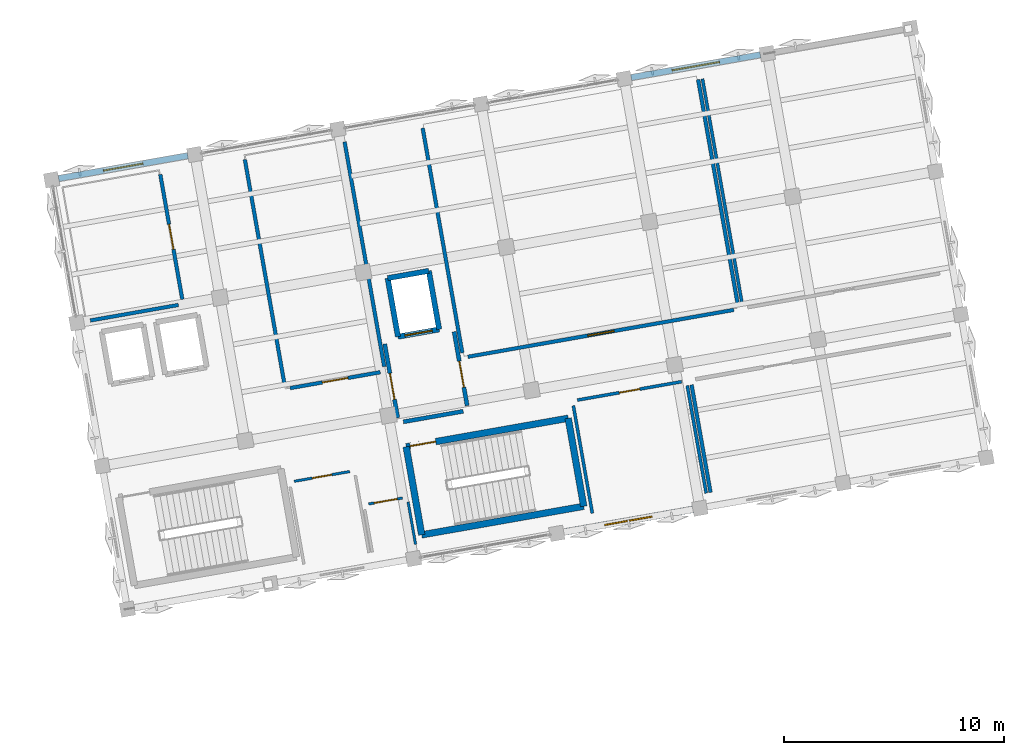
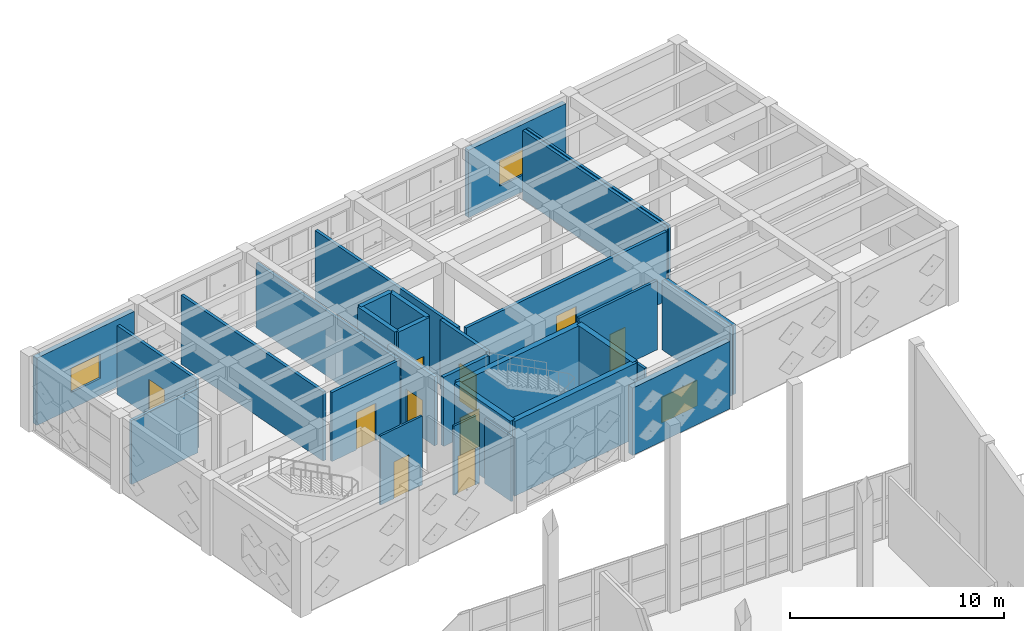
# One storey, part 29 of 39: 30 walls, 10 doors, 3 windows, 13 openings.
"""IFC4 building model written with IfcOpenShell, lengths in metres."""

from ifc_helpers import new_model, si_unit, direction, frame, frame_2d, origin, place, context, subcontext, project, spatial, rectangle, extrude, material, layer, layer_set, type_object, element, fill, save


model = new_model("IFC4")

# Units and contexts
model_context = context("Model", 3, precision=1e-05, world=origin(), true_north=direction((0.0, 1.0)))
body_context = subcontext(model_context, "Body", "Model", "MODEL_VIEW")
ifc_project = project(units=[si_unit("LENGTHUNIT", "METRE"), si_unit("AREAUNIT", "SQUARE_METRE"), si_unit("VOLUMEUNIT", "CUBIC_METRE"), si_unit("PLANEANGLEUNIT", "RADIAN"), si_unit("MASSUNIT", "GRAM", prefix="KILO")], contexts=[model_context])

# Site, building, storey
site_placement = place(None, origin())
site = spatial("IfcSite", under=ifc_project, at=site_placement, CompositionType="ELEMENT")
building_placement = place(site_placement, origin())
building = spatial("IfcBuilding", under=site, at=building_placement, Name="Kharisveld Research Institute", CompositionType="ELEMENT")
storey_placement = place(building_placement, frame((0.0, 0.0, 18.60009765625)))
storey = spatial("IfcBuildingStorey", under=building, at=storey_placement, Name="L04", CompositionType="ELEMENT", Elevation=18.60009765625)

# Walls
ifc_material_1 = material(Name="Concrete C40/50", Category="concrete")
ifc_layer_1 = layer(ifc_material_1, 0.239990234375)
ifc_layer_set_1 = layer_set([ifc_layer_1], Name="WL_CORE_240")
wall_type_1 = type_object("IfcWallType", Name="WL_CORE_240", PredefinedType="SHEAR", material=ifc_layer_set_1)
wall_1_placement = place(storey_placement, frame((17.48828125, 47.3818359375, 0.0), z_axis=(0.0, 0.0, 1.0), x_axis=(-0.173615102578, 0.98481358447, 0.0)))
element("IfcWall", 1, at=wall_1_placement, inside=storey, type_object=wall_type_1, Name="WL:LFT:FFL-01:L04:W", PredefinedType="SHEAR", context=body_context, shape_type="SweptSolid", body=[
    extrude(rectangle(XDim=2.699951171875, YDim=0.239990234375, at=frame_2d((1.35009765625, 0.0))), origin(), (0.0, 0.0, 1.0), 4.27978515625),
])
wall_2_placement = place(storey_placement, frame((17.01953125, 50.040771484375, 0.0), z_axis=(0.0, 0.0, 1.0), x_axis=(0.984815882103, 0.173602068988, 0.0)))
element("IfcWall", 2, at=wall_2_placement, inside=storey, type_object=wall_type_1, Name="WL:LFT:FFL-01:L04:N", PredefinedType="SHEAR", context=body_context, shape_type="SweptSolid", body=[
    extrude(rectangle(XDim=1.89990234375, YDim=0.239990234375, at=frame_2d((0.949951171875, 0.0))), origin(), (0.0, 0.0, 1.0), 4.27978515625),
])
wall_3_placement = place(storey_placement, frame((18.890625, 50.37060546875, 0.0), z_axis=(0.0, 0.0, 1.0), x_axis=(0.173615102578, -0.98481358447, 0.0)))
element("IfcWall", 3, at=wall_3_placement, inside=storey, type_object=wall_type_1, Name="WL:LFT:FFL-01:L04:E", PredefinedType="SHEAR", context=body_context, shape_type="SweptSolid", body=[
    extrude(rectangle(XDim=2.699951171875, YDim=0.239990234375, at=frame_2d((1.35009765625, 0.0))), origin(), (0.0, 0.0, 1.0), 4.27978515625),
])

# Wall, opening, door
wall_4_placement = place(storey_placement, frame((19.359375, 47.711669921875, 0.0), z_axis=(0.0, 0.0, 1.0), x_axis=(-0.984815882103, -0.173602068988, 0.0)))
wall_4 = element("IfcWall", 4, at=wall_4_placement, inside=storey, type_object=wall_type_1, Name="WL:LFT:FFL-01:L04:S", PredefinedType="SHEAR", context=body_context, shape_type="SweptSolid", body=[
    extrude(rectangle(XDim=1.89990234375, YDim=0.239990234375, at=frame_2d((0.949951171875, 0.0))), origin(), (0.0, 0.0, 1.0), 4.27978515625),
])
opening_1_placement = place(wall_4_placement, frame((0.324951171875, 0.0, 0.0)))
opening_1 = element("IfcOpeningElement", 5, at=opening_1_placement, cuts=wall_4, Name="Opening LD-02", PredefinedType="OPENING", context=body_context, shape_type="SweptSolid", body=[
    extrude(rectangle(XDim=1.25, YDim=2.199951171875, at=frame_2d((0.625, 1.10009765625))), frame((0.0, 0.1201171875, 0.0), z_axis=(0.0, -1.0, 0.0), x_axis=(1.0, 0.0, 0.0)), (0.0, 0.0, 1.0), 0.239990234375),
])
ifc_material_2 = material(Name="Flush Painted Hardwood and Anodised Aluminium", Category="wood")
door_type_1 = type_object("IfcDoorType", Name="DR_LFT_125", OperationType="SLIDING_TO_RIGHT", PredefinedType="DOOR", material=ifc_material_2)
door_1_placement = place(opening_1_placement, origin())
door_1 = element("IfcDoor", 6, at=door_1_placement, inside=storey, type_object=door_type_1, Name="FFL-01 Lift Landing Door L04", OperationType="SLIDING_TO_RIGHT", OverallHeight=2.199951171875, OverallWidth=1.25, PredefinedType="DOOR", context=body_context, shape_type="SweptSolid", body=[
    extrude(rectangle(XDim=1.25, YDim=2.199951171875, at=frame_2d((0.625, 1.10009765625))), frame((0.0, 0.02490234375, 0.0), z_axis=(0.0, -1.0, 0.0), x_axis=(1.0, 0.0, 0.0)), (0.0, 0.0, 1.0), 0.050048828125),
])
fill(opening_1, door_1)

# Wall
ifc_material_3 = material(Name="Concrete C40/50", Category="concrete")
ifc_layer_2 = layer(ifc_material_3, 0.300048828125)
ifc_layer_set_2 = layer_set([ifc_layer_2], Name="WL_CORE_300")
wall_type_2 = type_object("IfcWallType", Name="WL_CORE_300", PredefinedType="SHEAR", material=ifc_layer_set_2)
wall_5_placement = place(storey_placement, frame((18.5673828125, 38.382568359375, 0.0), z_axis=(0.0, 0.0, 1.0), x_axis=(-0.173606946886, 0.984815022221, 0.0)))
element("IfcWall", 7, at=wall_5_placement, inside=storey, type_object=wall_type_2, Name="WL:STR:ST2:L04:W", PredefinedType="SHEAR", context=body_context, shape_type="SweptSolid", body=[
    extrude(rectangle(XDim=4.06005859375, YDim=0.300048828125, at=frame_2d((2.030029296875, 0.0))), origin(), (0.0, 0.0, 1.0), 4.27978515625),
])

# Wall, opening, door
wall_6_placement = place(storey_placement, frame((17.862548828125, 42.380859375, 0.0), z_axis=(0.0, 0.0, 1.0), x_axis=(0.984808225754, 0.173645496596, 0.0)))
wall_6 = element("IfcWall", 8, at=wall_6_placement, inside=storey, type_object=wall_type_2, Name="WL:STR:ST2:L04:N", PredefinedType="SHEAR", context=body_context, shape_type="SweptSolid", body=[
    extrude(rectangle(XDim=7.469970703125, YDim=0.300048828125, at=frame_2d((3.73486328125, 0.0))), origin(), (0.0, 0.0, 1.0), 4.27978515625),
])
opening_2_placement = place(wall_6_placement, frame((0.179931640625, 0.0, 0.0)))
opening_2 = element("IfcOpeningElement", 9, at=opening_2_placement, cuts=wall_6, Name="Opening DS-019", PredefinedType="OPENING", context=body_context, shape_type="SweptSolid", body=[
    extrude(rectangle(XDim=1.179931640625, YDim=2.14990234375, at=frame_2d((0.58984375, 1.074951171875))), frame((0.0, 0.14990234375, 0.0), z_axis=(0.0, -1.0, 0.0), x_axis=(1.0, 0.0, 0.0)), (0.0, 0.0, 1.0), 0.300048828125),
])
ifc_material_4 = material(Name="Flush Painted Hardwood and Anodised Aluminium", Category="wood")
door_type_2 = type_object("IfcDoorType", Name="DR_FD60_118", OperationType="NOTDEFINED", PredefinedType="DOOR", material=ifc_material_4)
door_2_placement = place(opening_2_placement, origin())
door_2 = element("IfcDoor", 10, at=door_2_placement, inside=storey, type_object=door_type_2, Name="DR:STR:ST2:L04", OperationType="SINGLE_SWING_RIGHT", OverallHeight=2.14990234375, OverallWidth=1.179931640625, PredefinedType="DOOR", context=body_context, shape_type="SweptSolid", body=[
    extrude(rectangle(XDim=1.179931640625, YDim=2.14990234375, at=frame_2d((0.58984375, 1.074951171875))), frame((0.0, 0.02490234375, 0.0), z_axis=(0.0, -1.0, 0.0), x_axis=(1.0, 0.0, 0.0)), (0.0, 0.0, 1.0), 0.050048828125),
])
fill(opening_2, door_2)

# Walls
wall_7_placement = place(storey_placement, frame((25.218994140625, 43.677978515625, 0.0), z_axis=(0.0, 0.0, 1.0), x_axis=(0.173665267602, -0.984804739443, 0.0)))
element("IfcWall", 11, at=wall_7_placement, inside=storey, type_object=wall_type_2, Name="WL:STR:ST2:L04:E", PredefinedType="SHEAR", context=body_context, shape_type="SweptSolid", body=[
    extrude(rectangle(XDim=4.06005859375, YDim=0.300048828125, at=frame_2d((2.030029296875, 0.0))), origin(), (0.0, 0.0, 1.0), 4.27978515625),
])
wall_8_placement = place(storey_placement, frame((25.924072265625, 39.6796875, 0.0), z_axis=(0.0, 0.0, 1.0), x_axis=(-0.984809211193, -0.173639907711, 0.0)))
element("IfcWall", 12, at=wall_8_placement, inside=storey, type_object=wall_type_2, Name="WL:STR:ST2:L04:S", PredefinedType="SHEAR", context=body_context, shape_type="SweptSolid", body=[
    extrude(rectangle(XDim=7.47021484375, YDim=0.300048828125, at=frame_2d((3.735107421875, 0.0))), origin(), (0.0, 0.0, 1.0), 4.27978515625),
])

# Wall, opening, window
ifc_material_5 = material(Name="Precast Concrete C40/50 Thermal Wall", Category="concrete")
ifc_layer_3 = layer(ifc_material_5, 0.27490234375)
ifc_layer_set_3 = layer_set([ifc_layer_3], Name="WL_EXT_275")
wall_type_3 = type_object("IfcWallType", Name="WL_EXT_275", PredefinedType="STANDARD", material=ifc_layer_set_3)
wall_9_placement = place(storey_placement, frame((2.076904296875, 54.564697265625, 0.0), z_axis=(0.0, 0.0, 1.0), x_axis=(0.98480829201, 0.173645120828, 0.0)))
wall_9 = element("IfcWall", 13, at=wall_9_placement, inside=storey, type_object=wall_type_3, Name="WL:V1:L04:N0", PredefinedType="STANDARD", context=body_context, shape_type="SweptSolid", body=[
    extrude(rectangle(XDim=5.9599609375, YDim=0.27490234375, at=frame_2d((2.97998046875, 0.0))), origin(), (0.0, 0.0, 1.0), 3.85498046875),
])
opening_3_placement = place(wall_9_placement, frame((2.070068359375, 0.0, 0.949951171875)))
opening_3 = element("IfcOpeningElement", 14, at=opening_3_placement, cuts=wall_9, Name="Opening WN-28", PredefinedType="OPENING", context=body_context, shape_type="SweptSolid", body=[
    extrude(rectangle(XDim=1.820068359375, YDim=1.3798828125, at=frame_2d((0.91015625, 0.68994140625))), frame((0.0, 0.137451171875, 0.0), z_axis=(0.0, -1.0, 0.0), x_axis=(1.0, 0.0, 0.0)), (0.0, 0.0, 1.0), 0.27490234375),
])
ifc_material_6 = material(Name="Low-E Double Glazing", Category="glass")
window_type_1 = type_object("IfcWindowType", Name="WN_28", PartitioningType="DOUBLE_PANEL_VERTICAL", PredefinedType="WINDOW", material=ifc_material_6)
window_1_placement = place(opening_3_placement, origin())
window_1 = element("IfcWindow", 15, at=window_1_placement, inside=storey, type_object=window_type_1, Name="WN:V1:L04:N0", OverallHeight=1.3798828125, OverallWidth=1.820068359375, PartitioningType="SINGLE_PANEL", PredefinedType="WINDOW", context=body_context, shape_type="SweptSolid", body=[
    extrude(rectangle(XDim=1.820068359375, YDim=1.3798828125, at=frame_2d((0.91015625, 0.68994140625))), frame((0.0, 0.030029296875, 0.0), z_axis=(0.0, -1.0, 0.0), x_axis=(1.0, 0.0, 0.0)), (0.0, 0.0, 1.0), 0.06005859375),
])
fill(opening_3, window_1)

wall_10_placement = place(storey_placement, frame((28.075927734375, 59.149169921875, 0.0), z_axis=(0.0, 0.0, 1.0), x_axis=(0.98480829201, 0.173645120828, 0.0)))
wall_10 = element("IfcWall", 16, at=wall_10_placement, inside=storey, type_object=wall_type_3, Name="WL:V1:L04:N4", PredefinedType="STANDARD", context=body_context, shape_type="SweptSolid", body=[
    extrude(rectangle(XDim=5.9599609375, YDim=0.27490234375, at=frame_2d((2.97998046875, 0.0))), origin(), (0.0, 0.0, 1.0), 3.85498046875),
])
opening_4_placement = place(wall_10_placement, frame((1.889892578125, 0.0, 0.949951171875)))
opening_4 = element("IfcOpeningElement", 17, at=opening_4_placement, cuts=wall_10, Name="Opening WN-32", PredefinedType="OPENING", context=body_context, shape_type="SweptSolid", body=[
    extrude(rectangle(XDim=2.179931640625, YDim=1.4599609375, at=frame_2d((1.08984375, 0.72998046875))), frame((0.0, 0.137451171875, 0.0), z_axis=(0.0, -1.0, 0.0), x_axis=(1.0, 0.0, 0.0)), (0.0, 0.0, 1.0), 0.27490234375),
])
ifc_material_7 = material(Name="Low-E Double Glazing", Category="glass")
window_type_2 = type_object("IfcWindowType", Name="WN_32", PartitioningType="DOUBLE_PANEL_VERTICAL", PredefinedType="WINDOW", material=ifc_material_7)
window_2_placement = place(opening_4_placement, origin())
window_2 = element("IfcWindow", 18, at=window_2_placement, inside=storey, type_object=window_type_2, Name="WN:V1:L04:N4", OverallHeight=1.4599609375, OverallWidth=2.179931640625, PartitioningType="SINGLE_PANEL", PredefinedType="WINDOW", context=body_context, shape_type="SweptSolid", body=[
    extrude(rectangle(XDim=2.179931640625, YDim=1.4599609375, at=frame_2d((1.08984375, 0.72998046875))), frame((0.0, 0.030029296875, 0.0), z_axis=(0.0, -1.0, 0.0), x_axis=(1.0, 0.0, 0.0)), (0.0, 0.0, 1.0), 0.06005859375),
])
fill(opening_4, window_2)

ifc_material_8 = material(Name="Precast Concrete C40/50 Ochre Panel", Category="concrete")
ifc_layer_4 = layer(ifc_material_8, 0.304931640625)
ifc_layer_set_4 = layer_set([ifc_layer_4], Name="WL_EXT_305")
wall_type_4 = type_object("IfcWallType", Name="WL_EXT_305", PredefinedType="STANDARD", material=ifc_layer_set_4)
wall_11_placement = place(storey_placement, frame((30.8837890625, 39.538818359375, 0.0), z_axis=(0.0, 0.0, 1.0), x_axis=(-0.98480829201, -0.173645120828, 0.0)))
wall_11 = element("IfcWall", 19, at=wall_11_placement, inside=storey, type_object=wall_type_4, Name="WL:V1:L04:S4", PredefinedType="STANDARD", context=body_context, shape_type="SweptSolid", body=[
    extrude(rectangle(XDim=5.9599609375, YDim=0.304931640625, at=frame_2d((2.97998046875, 0.0))), origin(), (0.0, 0.0, 1.0), 3.85498046875),
])
opening_5_placement = place(wall_11_placement, frame((1.889892578125, 0.0, 0.949951171875)))
opening_5 = element("IfcOpeningElement", 20, at=opening_5_placement, cuts=wall_11, Name="Opening WN-32", PredefinedType="OPENING", context=body_context, shape_type="SweptSolid", body=[
    extrude(rectangle(XDim=2.179931640625, YDim=1.4599609375, at=frame_2d((1.08984375, 0.72998046875))), frame((0.0, 0.15234375, 0.0), z_axis=(0.0, -1.0, 0.0), x_axis=(1.0, 0.0, 0.0)), (0.0, 0.0, 1.0), 0.304931640625),
])
window_3_placement = place(opening_5_placement, origin())
window_3 = element("IfcWindow", 21, at=window_3_placement, inside=storey, type_object=window_type_2, Name="WN:V1:L04:S4", OverallHeight=1.4599609375, OverallWidth=2.179931640625, PartitioningType="SINGLE_PANEL", PredefinedType="WINDOW", context=body_context, shape_type="SweptSolid", body=[
    extrude(rectangle(XDim=2.179931640625, YDim=1.4599609375, at=frame_2d((1.08984375, 0.72998046875))), frame((0.0, 0.030029296875, 0.0), z_axis=(0.0, -1.0, 0.0), x_axis=(1.0, 0.0, 0.0)), (0.0, 0.0, 1.0), 0.06005859375),
])
fill(opening_5, window_3)

# Wall
ifc_material_9 = material(Name="Acoustic Drywall Partition", Category="mineral")
ifc_layer_5 = layer(ifc_material_9, 0.1650390625)
ifc_layer_set_5 = layer_set([ifc_layer_5], Name="WL_LAB_165")
wall_type_5 = type_object("IfcWallType", Name="WL_LAB_165", PredefinedType="PARTITIONING", material=ifc_layer_set_5)
wall_12_placement = place(storey_placement, frame((3.518310546875, 48.1171875, 0.0), z_axis=(0.0, 0.0, 1.0), x_axis=(0.984816834462, 0.173596666326, 0.0)))
element("IfcWall", 22, at=wall_12_placement, inside=storey, type_object=wall_type_5, Name="WL:RM:V1:L04:NW:S", PredefinedType="PARTITIONING", context=body_context, shape_type="SweptSolid", body=[
    extrude(rectangle(XDim=4.060302734375, YDim=0.1650390625, at=frame_2d((2.0302734375, 0.0))), origin(), (0.0, 0.0, 1.0), 3.65478515625),
])

# Wall, opening, door
wall_13_placement = place(storey_placement, frame((7.6953125, 49.076904296875, 0.0), z_axis=(0.0, 0.0, 1.0), x_axis=(-0.173649928941, 0.984807444214, 0.0)))
wall_13 = element("IfcWall", 23, at=wall_13_placement, inside=storey, type_object=wall_type_5, Name="WL:RM:V1:L04:NW:E", PredefinedType="PARTITIONING", context=body_context, shape_type="SweptSolid", body=[
    extrude(rectangle(XDim=5.760009765625, YDim=0.1650390625, at=frame_2d((2.8798828125, 0.0))), origin(), (0.0, 0.0, 1.0), 3.949951171875),
])
opening_6_placement = place(wall_13_placement, frame((2.304931640625, 0.0, 0.0)))
opening_6 = element("IfcOpeningElement", 24, at=opening_6_placement, cuts=wall_13, Name="Opening DI-105", PredefinedType="OPENING", context=body_context, shape_type="SweptSolid", body=[
    extrude(rectangle(XDim=1.14990234375, YDim=2.1201171875, at=frame_2d((0.574951171875, 1.06005859375))), frame((0.0, 0.08251953125, 0.0), z_axis=(0.0, -1.0, 0.0), x_axis=(1.0, 0.0, 0.0)), (0.0, 0.0, 1.0), 0.1650390625),
])
ifc_material_10 = material(Name="Flush Painted Hardwood and Anodised Aluminium", Category="wood")
door_type_3 = type_object("IfcDoorType", Name="DR_VAR_09", OperationType="NOTDEFINED", PredefinedType="DOOR", material=ifc_material_10)
door_3_placement = place(opening_6_placement, origin())
door_3 = element("IfcDoor", 25, at=door_3_placement, inside=storey, type_object=door_type_3, Name="DR:RM:V1:L04:NW:E", OperationType="SINGLE_SWING_LEFT", OverallHeight=2.1201171875, OverallWidth=1.14990234375, PredefinedType="DOOR", context=body_context, shape_type="SweptSolid", body=[
    extrude(rectangle(XDim=1.14990234375, YDim=2.1201171875, at=frame_2d((0.574951171875, 1.06005859375))), frame((0.0, 0.02490234375, 0.0), z_axis=(0.0, -1.0, 0.0), x_axis=(1.0, 0.0, 0.0)), (0.0, 0.0, 1.0), 0.050048828125),
])
fill(opening_6, door_3)

wall_14_placement = place(storey_placement, frame((12.589599609375, 45.045654296875, 0.0), z_axis=(0.0, 0.0, 1.0), x_axis=(0.984805411783, 0.173661454915, 0.0)))
wall_14 = element("IfcWall", 26, at=wall_14_placement, inside=storey, type_object=wall_type_5, Name="WL:RM:V1:L04:N1:S", PredefinedType="PARTITIONING", context=body_context, shape_type="SweptSolid", body=[
    extrude(rectangle(XDim=4.159912109375, YDim=0.1650390625, at=frame_2d((2.080078125, 0.0))), origin(), (0.0, 0.0, 1.0), 3.949951171875),
])
opening_7_placement = place(wall_14_placement, frame((1.489990234375, 0.0, 0.0)))
opening_7 = element("IfcOpeningElement", 27, at=opening_7_placement, cuts=wall_14, Name="Opening DI-106", PredefinedType="OPENING", context=body_context, shape_type="SweptSolid", body=[
    extrude(rectangle(XDim=1.179931640625, YDim=2.139892578125, at=frame_2d((0.58984375, 1.06982421875))), frame((0.0, 0.08251953125, 0.0), z_axis=(0.0, -1.0, 0.0), x_axis=(1.0, 0.0, 0.0)), (0.0, 0.0, 1.0), 0.1650390625),
])
ifc_material_11 = material(Name="Flush Painted Hardwood and Anodised Aluminium", Category="wood")
door_type_4 = type_object("IfcDoorType", Name="DR_VAR_10", OperationType="NOTDEFINED", PredefinedType="DOOR", material=ifc_material_11)
door_4_placement = place(opening_7_placement, origin())
door_4 = element("IfcDoor", 28, at=door_4_placement, inside=storey, type_object=door_type_4, Name="DR:RM:V1:L04:N1:S", OperationType="SINGLE_SWING_RIGHT", OverallHeight=2.139892578125, OverallWidth=1.179931640625, PredefinedType="DOOR", context=body_context, shape_type="SweptSolid", body=[
    extrude(rectangle(XDim=1.179931640625, YDim=2.139892578125, at=frame_2d((0.58984375, 1.06982421875))), frame((0.0, 0.02490234375, 0.0), z_axis=(0.0, -1.0, 0.0), x_axis=(1.0, 0.0, 0.0)), (0.0, 0.0, 1.0), 0.050048828125),
])
fill(opening_7, door_4)

# Walls
wall_15_placement = place(storey_placement, frame((16.86474609375, 46.02294921875, 0.0), z_axis=(0.0, 0.0, 1.0), x_axis=(-0.173632075677, 0.984810592092, 0.0)))
element("IfcWall", 29, at=wall_15_placement, inside=storey, type_object=wall_type_5, Name="WL:RM:V1:L04:N1:E", PredefinedType="PARTITIONING", context=body_context, shape_type="SweptSolid", body=[
    extrude(rectangle(XDim=10.360107421875, YDim=0.1650390625, at=frame_2d((5.18017578125, 0.0))), origin(), (0.0, 0.0, 1.0), 3.704833984375),
])
wall_16_placement = place(storey_placement, frame((10.53564453125, 55.4267578125, 0.0), z_axis=(0.0, 0.0, 1.0), x_axis=(0.173654930775, -0.984806562233, 0.0)))
element("IfcWall", 30, at=wall_16_placement, inside=storey, type_object=wall_type_5, Name="WL:RM:V1:L04:N1:W", PredefinedType="PARTITIONING", context=body_context, shape_type="SweptSolid", body=[
    extrude(rectangle(XDim=10.360107421875, YDim=0.1650390625, at=frame_2d((5.18017578125, 0.0))), origin(), (0.0, 0.0, 1.0), 3.949951171875),
])

# Wall, opening, door
wall_17_placement = place(storey_placement, frame((20.6650390625, 46.469482421875, 0.0), z_axis=(0.0, 0.0, 1.0), x_axis=(0.984808006729, 0.173646738761, 0.0)))
wall_17 = element("IfcWall", 31, at=wall_17_placement, inside=storey, type_object=wall_type_5, Name="WL:RM:V1:L04:N2:S", PredefinedType="PARTITIONING", context=body_context, shape_type="SweptSolid", body=[
    extrude(rectangle(XDim=12.260009765625, YDim=0.1650390625, at=frame_2d((6.1298828125, 0.0))), origin(), (0.0, 0.0, 1.0), 3.949951171875),
])
opening_8_placement = place(wall_17_placement, frame((5.52490234375, 0.0, 0.0)))
opening_8 = element("IfcOpeningElement", 32, at=opening_8_placement, cuts=wall_17, Name="Opening DI-107", PredefinedType="OPENING", context=body_context, shape_type="SweptSolid", body=[
    extrude(rectangle(XDim=1.2099609375, YDim=2.159912109375, at=frame_2d((0.60498046875, 1.080078125))), frame((0.0, 0.08251953125, 0.0), z_axis=(0.0, -1.0, 0.0), x_axis=(1.0, 0.0, 0.0)), (0.0, 0.0, 1.0), 0.1650390625),
])
ifc_material_12 = material(Name="Flush Painted Hardwood and Anodised Aluminium", Category="wood")
door_type_5 = type_object("IfcDoorType", Name="DR_VAR_11", OperationType="NOTDEFINED", PredefinedType="DOOR", material=ifc_material_12)
door_5_placement = place(opening_8_placement, origin())
door_5 = element("IfcDoor", 33, at=door_5_placement, inside=storey, type_object=door_type_5, Name="DR:RM:V1:L04:N2:S", OperationType="SINGLE_SWING_LEFT", OverallHeight=2.159912109375, OverallWidth=1.2099609375, PredefinedType="DOOR", context=body_context, shape_type="SweptSolid", body=[
    extrude(rectangle(XDim=1.2099609375, YDim=2.159912109375, at=frame_2d((0.60498046875, 1.080078125))), frame((0.0, 0.02490234375, 0.0), z_axis=(0.0, -1.0, 0.0), x_axis=(1.0, 0.0, 0.0)), (0.0, 0.0, 1.0), 0.050048828125),
])
fill(opening_8, door_5)

# Walls
for number, where, z_axis, x_axis, name in (
    (34, (32.917236328125, 48.853271484375, 0.0), (0.0, 0.0, 1.0), (-0.173654930775, 0.984806562233, 0.0), "WL:RM:V1:L04:N2:E"),
    (35, (18.611083984375, 56.8505859375, 0.0), (0.0, 0.0, 1.0), (0.173654930775, -0.984806562233, 0.0), "WL:RM:V1:L04:N2:W"),
):
    element("IfcWall", number, at=place(storey_placement, frame(where, z_axis=z_axis, x_axis=x_axis)), inside=storey, type_object=wall_type_5, Name=name, PredefinedType="PARTITIONING", context=body_context, shape_type="SweptSolid", body=[
        extrude(rectangle(XDim=10.360107421875, YDim=0.1650390625, at=frame_2d((5.18017578125, 0.0))), origin(), (0.0, 0.0, 1.0), 3.949951171875),
    ])
wall_18_placement = place(storey_placement, frame((30.82080078125, 45.19384765625, 0.0), z_axis=(0.0, 0.0, 1.0), x_axis=(0.173650553511, -0.984807334084, 0.0)))
element("IfcWall", 36, at=wall_18_placement, inside=storey, type_object=wall_type_5, Name="WL:RM:V1:L04:S2:W", PredefinedType="PARTITIONING", context=body_context, shape_type="SweptSolid", body=[
    extrude(rectangle(XDim=4.960205078125, YDim=0.1650390625, at=frame_2d((2.47998046875, 0.0))), origin(), (0.0, 0.0, 1.0), 3.949951171875),
])
ifc_material_13 = material(Name="Masonry Blockwork", Category="masonry")
ifc_layer_6 = layer(ifc_material_13, 0.18505859375)
ifc_layer_set_6 = layer_set([ifc_layer_6], Name="WL_LOB_185")
wall_type_6 = type_object("IfcWallType", Name="WL_LOB_185", PredefinedType="SOLIDWALL", material=ifc_layer_set_6)
wall_19_placement = place(storey_placement, frame((17.7333984375, 43.515625, 0.0), z_axis=(0.0, 0.0, 1.0), x_axis=(0.984808483292, 0.173644035992, 0.0)))
element("IfcWall", 37, at=wall_19_placement, inside=storey, type_object=wall_type_6, Name="WL:RM:V1:L04:FFL:S", PredefinedType="SOLIDWALL", context=body_context, shape_type="SweptSolid", body=[
    extrude(rectangle(XDim=2.760009765625, YDim=0.18505859375, at=frame_2d((1.3798828125, 0.0))), origin(), (0.0, 0.0, 1.0), 3.949951171875),
])

# Wall, opening, door
wall_20_placement = place(storey_placement, frame((20.6298828125, 44.249755859375, 0.0), z_axis=(0.0, 0.0, 1.0), x_axis=(-0.173621956536, 0.984812376145, 0.0)))
wall_20 = element("IfcWall", 38, at=wall_20_placement, inside=storey, type_object=wall_type_6, Name="WL:RM:V1:L04:FFL:E", PredefinedType="SOLIDWALL", context=body_context, shape_type="SweptSolid", body=[
    extrude(rectangle(XDim=3.409912109375, YDim=0.18505859375, at=frame_2d((1.705078125, 0.0))), origin(), (0.0, 0.0, 1.0), 3.949951171875),
])
opening_9_placement = place(wall_20_placement, frame((0.85009765625, 0.0, 0.0)))
opening_9 = element("IfcOpeningElement", 39, at=opening_9_placement, cuts=wall_20, Name="Opening DI-101", PredefinedType="OPENING", context=body_context, shape_type="SweptSolid", body=[
    extrude(rectangle(XDim=1.199951171875, YDim=2.14990234375, at=frame_2d((0.60009765625, 1.074951171875))), frame((0.0, 0.092529296875, 0.0), z_axis=(0.0, -1.0, 0.0), x_axis=(1.0, 0.0, 0.0)), (0.0, 0.0, 1.0), 0.18505859375),
])
ifc_material_14 = material(Name="Flush Painted Hardwood and Anodised Aluminium", Category="wood")
door_type_6 = type_object("IfcDoorType", Name="DR_FD120_120", OperationType="NOTDEFINED", PredefinedType="DOOR", material=ifc_material_14)
door_6_placement = place(opening_9_placement, origin())
door_6 = element("IfcDoor", 40, at=door_6_placement, inside=storey, type_object=door_type_6, Name="DR:RM:V1:L04:FFL:E", OperationType="SINGLE_SWING_LEFT", OverallHeight=2.14990234375, OverallWidth=1.199951171875, PredefinedType="DOOR", context=body_context, shape_type="SweptSolid", body=[
    extrude(rectangle(XDim=1.199951171875, YDim=2.14990234375, at=frame_2d((0.60009765625, 1.074951171875))), frame((0.0, 0.02490234375, 0.0), z_axis=(0.0, -1.0, 0.0), x_axis=(1.0, 0.0, 0.0)), (0.0, 0.0, 1.0), 0.050048828125),
])
fill(opening_9, door_6)

wall_21_placement = place(storey_placement, frame((16.886474609375, 47.05224609375, 0.0), z_axis=(0.0, 0.0, 1.0), x_axis=(0.173621956536, -0.984812376145, 0.0)))
wall_21 = element("IfcWall", 41, at=wall_21_placement, inside=storey, type_object=wall_type_6, Name="WL:RM:V1:L04:FFL:W", PredefinedType="SOLIDWALL", context=body_context, shape_type="SweptSolid", body=[
    extrude(rectangle(XDim=3.409912109375, YDim=0.18505859375, at=frame_2d((1.705078125, 0.0))), origin(), (0.0, 0.0, 1.0), 3.949951171875),
])
opening_10_placement = place(wall_21_placement, frame((1.360107421875, 0.0, 0.0)))
opening_10 = element("IfcOpeningElement", 42, at=opening_10_placement, cuts=wall_21, Name="Opening DI-102", PredefinedType="OPENING", context=body_context, shape_type="SweptSolid", body=[
    extrude(rectangle(XDim=1.199951171875, YDim=2.14990234375, at=frame_2d((0.60009765625, 1.074951171875))), frame((0.0, 0.092529296875, 0.0), z_axis=(0.0, -1.0, 0.0), x_axis=(1.0, 0.0, 0.0)), (0.0, 0.0, 1.0), 0.18505859375),
])
door_7_placement = place(opening_10_placement, origin())
door_7 = element("IfcDoor", 43, at=door_7_placement, inside=storey, type_object=door_type_6, Name="DR:RM:V1:L04:FFL:W", OperationType="SINGLE_SWING_RIGHT", OverallHeight=2.14990234375, OverallWidth=1.199951171875, PredefinedType="DOOR", context=body_context, shape_type="SweptSolid", body=[
    extrude(rectangle(XDim=1.199951171875, YDim=2.14990234375, at=frame_2d((0.60009765625, 1.074951171875))), frame((0.0, 0.02490234375, 0.0), z_axis=(0.0, -1.0, 0.0), x_axis=(1.0, 0.0, 0.0)), (0.0, 0.0, 1.0), 0.050048828125),
])
fill(opening_10, door_7)

# Walls
ifc_material_15 = material(Name="Insulated Stud Partition", Category="mineral")
ifc_layer_7 = layer(ifc_material_15, 0.139892578125)
ifc_layer_set_7 = layer_set([ifc_layer_7], Name="WL_OFF_140")
wall_type_7 = type_object("IfcWallType", Name="WL_OFF_140", PredefinedType="PARTITIONING", material=ifc_layer_set_7)
wall_22_placement = place(storey_placement, frame((31.315185546875, 59.090576171875, 0.0), z_axis=(0.0, 0.0, 1.0), x_axis=(0.173658960975, -0.984805851563, 0.0)))
element("IfcWall", 44, at=wall_22_placement, inside=storey, type_object=wall_type_7, Name="WL:RM:V1:L04:N3:W", PredefinedType="PARTITIONING", context=body_context, shape_type="SweptSolid", body=[
    extrude(rectangle(XDim=10.35986328125, YDim=0.139892578125, at=frame_2d((5.179931640625, 0.0))), origin(), (0.0, 0.0, 1.0), 3.949951171875),
])
wall_23_placement = place(storey_placement, frame((31.485107421875, 40.2744140625, 0.0), z_axis=(0.0, 0.0, 1.0), x_axis=(-0.173658971256, 0.98480584975, 0.0)))
element("IfcWall", 45, at=wall_23_placement, inside=storey, type_object=wall_type_7, Name="WL:RM:V1:L04:S1:E", PredefinedType="PARTITIONING", context=body_context, shape_type="SweptSolid", body=[
    extrude(rectangle(XDim=4.9599609375, YDim=0.139892578125, at=frame_2d((2.47998046875, 0.0))), origin(), (0.0, 0.0, 1.0), 3.949951171875),
])

# Wall, opening, door
wall_24_placement = place(storey_placement, frame((30.369140625, 45.33740234375, 0.0), z_axis=(0.0, 0.0, 1.0), x_axis=(-0.984810117332, -0.173634768407, 0.0)))
wall_24 = element("IfcWall", 46, at=wall_24_placement, inside=storey, type_object=wall_type_7, Name="WL:RM:V1:L04:S1:N", PredefinedType="PARTITIONING", context=body_context, shape_type="SweptSolid", body=[
    extrude(rectangle(XDim=4.81005859375, YDim=0.139892578125, at=frame_2d((2.405029296875, 0.0))), origin(), (0.0, 0.0, 1.0), 3.949951171875),
])
opening_11_placement = place(wall_24_placement, frame((1.93505859375, 0.0, 0.0)))
opening_11 = element("IfcOpeningElement", 47, at=opening_11_placement, cuts=wall_24, Name="Opening DI-109", PredefinedType="OPENING", context=body_context, shape_type="SweptSolid", body=[
    extrude(rectangle(XDim=0.93994140625, YDim=2.1201171875, at=frame_2d((0.469970703125, 1.06005859375))), frame((0.0, 0.06982421875, 0.0), z_axis=(0.0, -1.0, 0.0), x_axis=(1.0, 0.0, 0.0)), (0.0, 0.0, 1.0), 0.139892578125),
])
ifc_material_16 = material(Name="Flush Painted Hardwood and Anodised Aluminium", Category="wood")
door_type_7 = type_object("IfcDoorType", Name="DR_OFF_094", OperationType="NOTDEFINED", PredefinedType="DOOR", material=ifc_material_16)
door_8_placement = place(opening_11_placement, origin())
door_8 = element("IfcDoor", 48, at=door_8_placement, inside=storey, type_object=door_type_7, Name="DR:RM:V1:L04:S1:N", OperationType="SINGLE_SWING_LEFT", OverallHeight=2.1201171875, OverallWidth=0.93994140625, PredefinedType="DOOR", context=body_context, shape_type="SweptSolid", body=[
    extrude(rectangle(XDim=0.93994140625, YDim=2.1201171875, at=frame_2d((0.469970703125, 1.06005859375))), frame((0.0, 0.02490234375, 0.0), z_axis=(0.0, -1.0, 0.0), x_axis=(1.0, 0.0, 0.0)), (0.0, 0.0, 1.0), 0.050048828125),
])
fill(opening_11, door_8)

# Wall
wall_25_placement = place(storey_placement, frame((25.45361328125, 44.247314453125, 0.0), z_axis=(0.0, 0.0, 1.0), x_axis=(0.173658971256, -0.98480584975, 0.0)))
element("IfcWall", 49, at=wall_25_placement, inside=storey, type_object=wall_type_7, Name="WL:RM:V1:L04:S1:W", PredefinedType="PARTITIONING", context=body_context, shape_type="SweptSolid", body=[
    extrude(rectangle(XDim=4.9599609375, YDim=0.139892578125, at=frame_2d((2.47998046875, 0.0))), origin(), (0.0, 0.0, 1.0), 3.949951171875),
])

# Wall, opening, door
ifc_material_17 = material(Name="Moisture-Resistant Partition", Category="mineral")
ifc_layer_8 = layer(ifc_material_17, 0.114990234375)
ifc_layer_set_8 = layer_set([ifc_layer_8], Name="WL_WC_115")
wall_type_8 = type_object("IfcWallType", Name="WL_WC_115", PredefinedType="PARTITIONING", material=ifc_layer_set_8)
wall_26_placement = place(storey_placement, frame((15.29833984375, 41.258544921875, 0.0), z_axis=(0.0, 0.0, 1.0), x_axis=(-0.984803714572, -0.17367107924, 0.0)))
wall_26 = element("IfcWall", 50, at=wall_26_placement, inside=storey, type_object=wall_type_8, Name="WL:RM:V1:L04:WCM:N", PredefinedType="PARTITIONING", context=body_context, shape_type="SweptSolid", body=[
    extrude(rectangle(XDim=2.559814453125, YDim=0.114990234375, at=frame_2d((1.27978515625, 0.0))), origin(), (0.0, 0.0, 1.0), 3.949951171875),
])
opening_12_placement = place(wall_26_placement, frame((0.830078125, 0.0, 0.0)))
opening_12 = element("IfcOpeningElement", 51, at=opening_12_placement, cuts=wall_26, Name="Opening DI-103", PredefinedType="OPENING", context=body_context, shape_type="SweptSolid", body=[
    extrude(rectangle(XDim=0.89990234375, YDim=2.10009765625, at=frame_2d((0.449951171875, 1.050048828125))), frame((0.0, 0.0576171875, 0.0), z_axis=(0.0, -1.0, 0.0), x_axis=(1.0, 0.0, 0.0)), (0.0, 0.0, 1.0), 0.114990234375),
])
ifc_material_18 = material(Name="Flush Painted Hardwood and Anodised Aluminium", Category="wood")
door_type_8 = type_object("IfcDoorType", Name="DR_WC_090", OperationType="NOTDEFINED", PredefinedType="DOOR", material=ifc_material_18)
door_9_placement = place(opening_12_placement, origin())
door_9 = element("IfcDoor", 52, at=door_9_placement, inside=storey, type_object=door_type_8, Name="DR:RM:V1:L04:WCM:N", OperationType="SINGLE_SWING_LEFT", OverallHeight=2.10009765625, OverallWidth=0.89990234375, PredefinedType="DOOR", context=body_context, shape_type="SweptSolid", body=[
    extrude(rectangle(XDim=0.89990234375, YDim=2.10009765625, at=frame_2d((0.449951171875, 1.050048828125))), frame((0.0, 0.02490234375, 0.0), z_axis=(0.0, -1.0, 0.0), x_axis=(1.0, 0.0, 0.0)), (0.0, 0.0, 1.0), 0.050048828125),
])
fill(opening_12, door_9)

# Wall
wall_27_placement = place(storey_placement, frame((18.288818359375, 37.947509765625, 0.0), z_axis=(0.0, 0.0, 1.0), x_axis=(-0.173643211285, 0.984808628706, 0.0)))
element("IfcWall", 53, at=wall_27_placement, inside=storey, type_object=wall_type_8, Name="WL:RM:V1:L04:WCA:E", PredefinedType="PARTITIONING", context=body_context, shape_type="SweptSolid", body=[
    extrude(rectangle(XDim=1.9599609375, YDim=0.114990234375, at=frame_2d((0.97998046875, 0.0))), origin(), (0.0, 0.0, 1.0), 3.704833984375),
])

# Wall, opening, door
wall_28_placement = place(storey_placement, frame((17.693603515625, 40.05615234375, 0.0), z_axis=(0.0, 0.0, 1.0), x_axis=(-0.984797734253, -0.173704987291, 0.0)))
wall_28 = element("IfcWall", 54, at=wall_28_placement, inside=storey, type_object=wall_type_8, Name="WL:RM:V1:L04:WCA:N", PredefinedType="PARTITIONING", context=body_context, shape_type="SweptSolid", body=[
    extrude(rectangle(XDim=1.56005859375, YDim=0.114990234375, at=frame_2d((0.780029296875, 0.0))), origin(), (0.0, 0.0, 1.0), 3.949951171875),
])
opening_13_placement = place(wall_28_placement, frame((0.25, 0.0, 0.0)))
opening_13 = element("IfcOpeningElement", 55, at=opening_13_placement, cuts=wall_28, Name="Opening DI-104", PredefinedType="OPENING", context=body_context, shape_type="SweptSolid", body=[
    extrude(rectangle(XDim=1.06005859375, YDim=2.1201171875, at=frame_2d((0.530029296875, 1.06005859375))), frame((0.0, 0.0576171875, 0.0), z_axis=(0.0, -1.0, 0.0), x_axis=(1.0, 0.0, 0.0)), (0.0, 0.0, 1.0), 0.114990234375),
])
ifc_material_19 = material(Name="Flush Painted Hardwood and Anodised Aluminium", Category="wood")
door_type_9 = type_object("IfcDoorType", Name="DR_WCA_106", OperationType="NOTDEFINED", PredefinedType="DOOR", material=ifc_material_19)
door_10_placement = place(opening_13_placement, origin())
door_10 = element("IfcDoor", 56, at=door_10_placement, inside=storey, type_object=door_type_9, Name="DR:RM:V1:L04:WCA:N", OperationType="SINGLE_SWING_RIGHT", OverallHeight=2.1201171875, OverallWidth=1.06005859375, PredefinedType="DOOR", context=body_context, shape_type="SweptSolid", body=[
    extrude(rectangle(XDim=1.06005859375, YDim=2.1201171875, at=frame_2d((0.530029296875, 1.06005859375))), frame((0.0, 0.02490234375, 0.0), z_axis=(0.0, -1.0, 0.0), x_axis=(1.0, 0.0, 0.0)), (0.0, 0.0, 1.0), 0.050048828125),
])
fill(opening_13, door_10)

save(model, "model.ifc")
